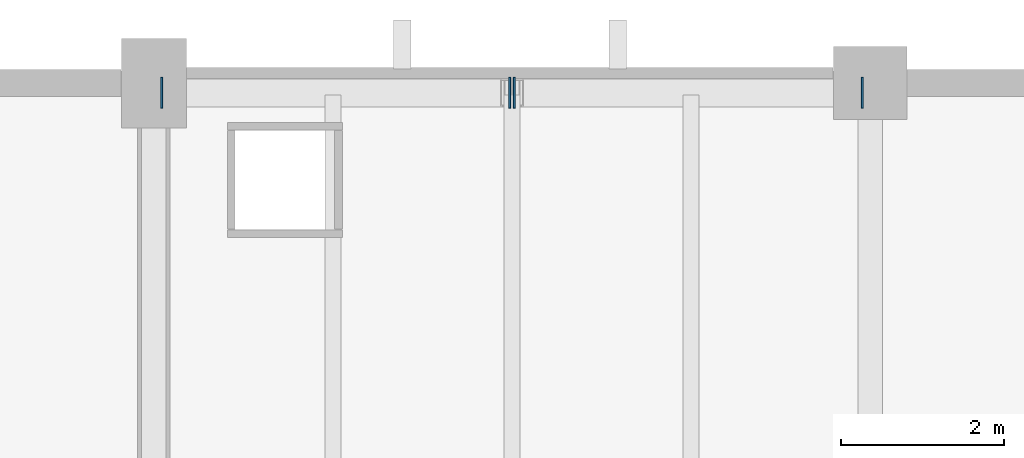
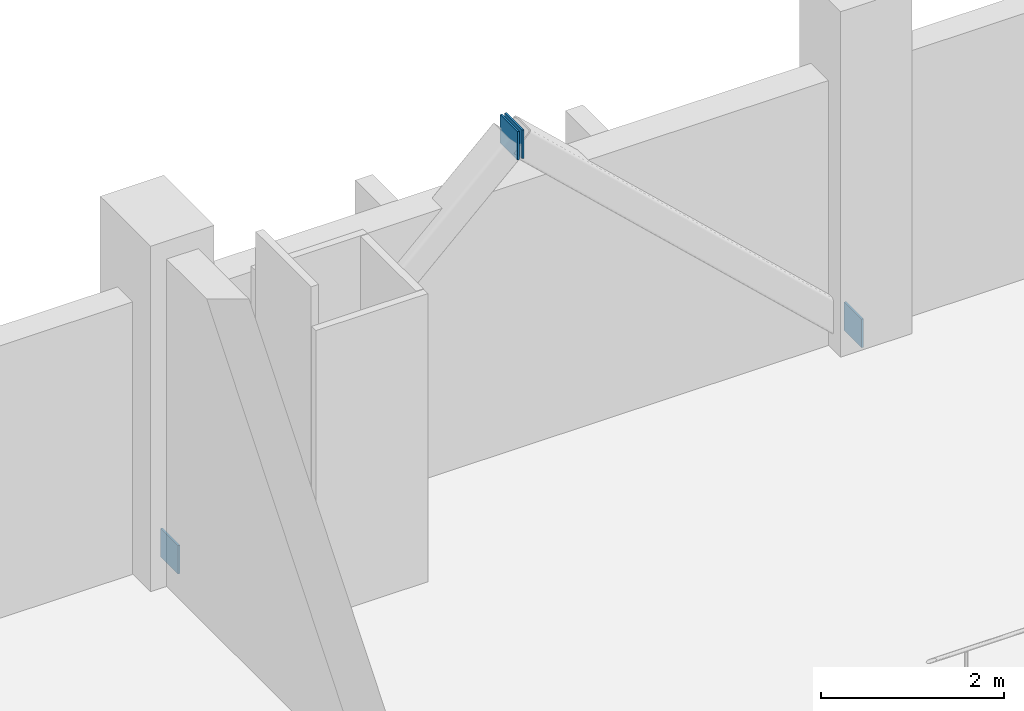
# One storey, part 147 of 172: 4 plates.
"""IFC4 building model written with IfcOpenShell, lengths in metres."""

from ifc_helpers import new_model, si_unit, direction, frame, origin, origin_2d, place, context, subcontext, project, spatial, rectangle, extrude, material, layer, layer_set, type_object, element, save


model = new_model("IFC4")

# Units and contexts
model_context = context("Model", 3, precision=1e-05, world=origin(), true_north=direction((0.0, 1.0)))
body_context = subcontext(model_context, "Body", "Model", "MODEL_VIEW")
ifc_project = project(units=[si_unit("LENGTHUNIT", "METRE"), si_unit("AREAUNIT", "SQUARE_METRE"), si_unit("VOLUMEUNIT", "CUBIC_METRE"), si_unit("PLANEANGLEUNIT", "RADIAN"), si_unit("MASSUNIT", "GRAM", prefix="KILO")], contexts=[model_context])

# Site, building, storey
site_placement = place(None, origin())
site = spatial("IfcSite", under=ifc_project, at=site_placement, CompositionType="ELEMENT")
building_placement = place(site_placement, origin())
building = spatial("IfcBuilding", under=site, at=building_placement, Name="Shengluoqiao Park Theatre", CompositionType="ELEMENT")
storey_placement = place(building_placement, frame((0.0, 0.0, 5.39990234375)))
storey = spatial("IfcBuildingStorey", under=building, at=storey_placement, Name="L01", CompositionType="ELEMENT", Elevation=5.39990234375)

# Plates
ifc_material = material(Name="Steel Q390", Category="steel")
ifc_layer = layer(ifc_material, 0.02392578125, Name="Steel Q390")
ifc_layer_set = layer_set([ifc_layer], Name="Steel Q390")
plate_type = type_object("IfcPlateType", Name="STR-PLT-EC-360", PredefinedType="SHEET", material=ifc_layer_set)
for number, where, z_axis, x_axis, name in (
    (1, (86.49462890625, 113.8798828125, -0.08154296875), (0.0, 0.0, 1.0), (1.0, 0.0, 0.0), "Hollow Tube End Cap Plate 00124"),
    (2, (90.771484375, 113.8798828125, 3.933837890625), (0.0, 0.0, 1.0), (1.0, 0.0, 0.0), "Hollow Tube End Cap Plate 00125"),
    (3, (95.10546875, 113.8798828125, -0.08154296875), (0.0, 0.0, 1.0), (-1.0, 0.0, 0.0), "Hollow Tube End Cap Plate 00126"),
    (4, (90.82861328125, 113.8798828125, 3.933837890625), (0.0, 0.0, 1.0), (-1.0, 0.0, 0.0), "Hollow Tube End Cap Plate 00127"),
):
    element("IfcPlate", number, at=place(storey_placement, frame(where, z_axis=z_axis, x_axis=x_axis)), inside=storey, type_object=plate_type, Name=name, PredefinedType="SHEET", context=body_context, shape_type="SweptSolid", body=[
        extrude(rectangle(XDim=0.02392578125, YDim=0.3798828125, at=origin_2d()), origin(), (0.0, 0.0, 1.0), 0.3798828125),
    ])

save(model, "model.ifc")
